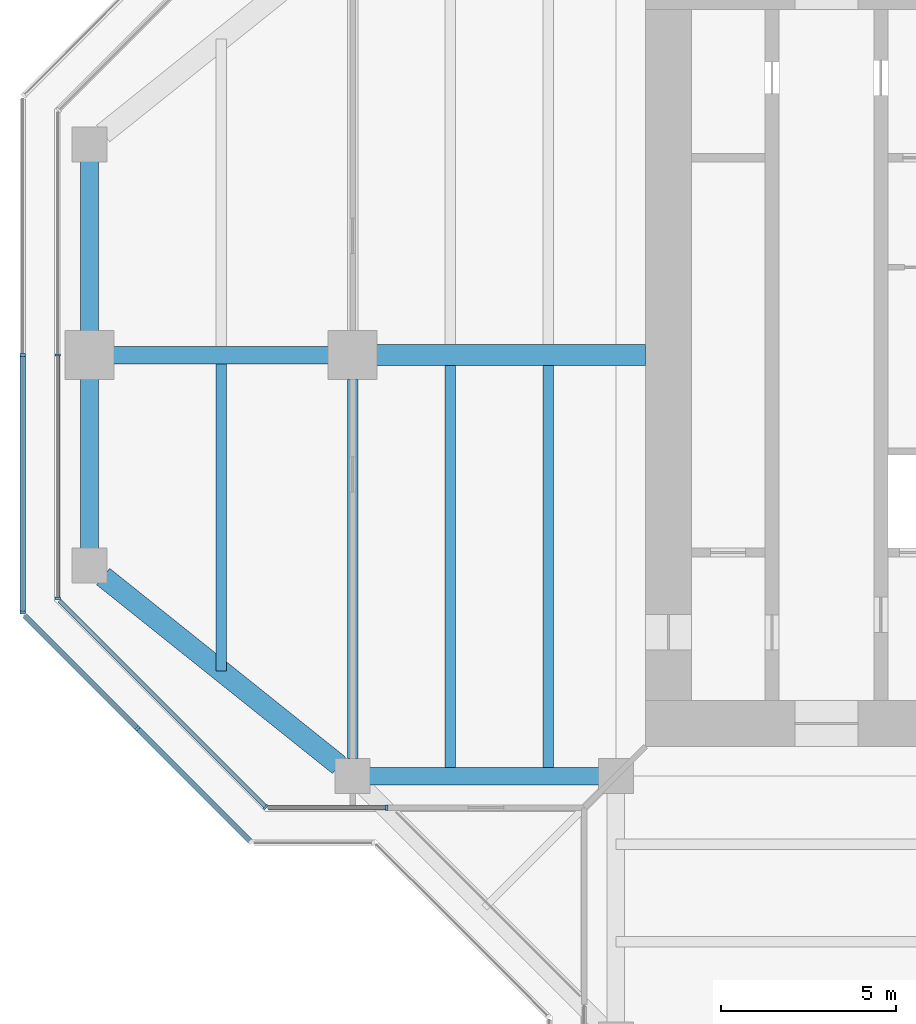
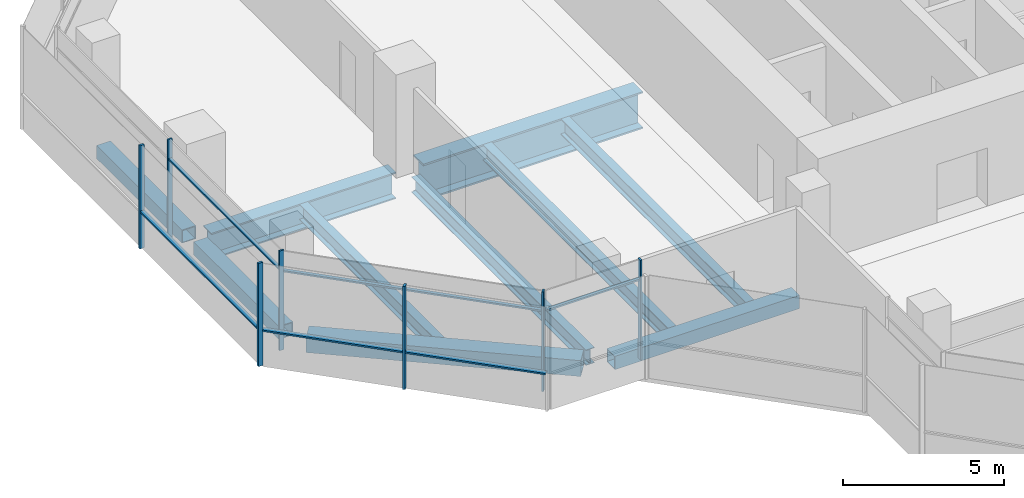
# One storey, part 3 of 15: 13 members, 10 beams, 5 elements without a shape of their own.
"""IFC4 building model written with IfcOpenShell, lengths in metres."""

from ifc_helpers import new_model, si_unit, direction, frame, origin, origin_2d, place, context, subcontext, project, spatial, rectangle, hollow_rectangle, i_section, extrude, material, material_profile, profile_set, type_object, element, aggregate, save


model = new_model("IFC4")

# Units and contexts
model_context = context("Model", 3, precision=1e-05, world=origin(), true_north=direction((0.0, 1.0)))
body_context = subcontext(model_context, "Body", "Model", "MODEL_VIEW")
ifc_project = project(units=[si_unit("LENGTHUNIT", "METRE"), si_unit("AREAUNIT", "SQUARE_METRE"), si_unit("VOLUMEUNIT", "CUBIC_METRE"), si_unit("PLANEANGLEUNIT", "RADIAN"), si_unit("MASSUNIT", "GRAM", prefix="KILO")], contexts=[model_context])

# Site, building, storey
site_placement = place(None, origin())
site = spatial("IfcSite", under=ifc_project, at=site_placement, CompositionType="ELEMENT")
building_placement = place(site_placement, origin())
building = spatial("IfcBuilding", under=site, at=building_placement, Name="Mizan Broadcast Tower", CompositionType="ELEMENT")
storey_placement = place(building_placement, frame((0.0, 0.0, 298.5)))
storey = spatial("IfcBuildingStorey", under=building, at=storey_placement, Name="L71", CompositionType="ELEMENT", Elevation=298.5)

# Beams
ifc_material_1 = material(Name="Steel S355", Category="steel")
ifc_material_profile_1 = material_profile(ifc_material_1, hollow_rectangle(XDim=0.5, YDim=0.5, WallThickness=0.030029296875, at=origin_2d()), Name="BOX 500x500x30")
ifc_profile_set_1 = profile_set([ifc_material_profile_1], Name="Steel S355")
beam_type_1 = type_object("IfcBeamType", Name="EDGE BEAM BOX 500x500x30", PredefinedType="SPANDREL", material=ifc_profile_set_1)
beam_1_placement = place(storey_placement, frame((-27.0, 5.639892578125, -0.3798828125), z_axis=(0.0, -1.0, 0.0), x_axis=(1.0, 0.0, 0.0)))
element("IfcBeam", 1, at=beam_1_placement, inside=storey, type_object=beam_type_1, Name="Edge beam BOX 500x500x30 L71 west arm", PredefinedType="SPANDREL", context=body_context, shape_type="SweptSolid", body=[
    extrude(hollow_rectangle(XDim=0.5, YDim=0.5, WallThickness=0.030029296875, at=origin_2d()), origin(), (0.0, 0.0, 1.0), 5.27978515625),
])
beam_2_placement = place(storey_placement, frame((-12.449951171875, -12.0, -0.3798828125), z_axis=(-1.0, 0.0, 0.0), x_axis=(0.0, -1.0, 0.0)))
element("IfcBeam", 2, at=beam_2_placement, inside=storey, type_object=beam_type_1, Name="Edge beam BOX 500x500x30 L71 west arm", PredefinedType="SPANDREL", context=body_context, shape_type="SweptSolid", body=[
    extrude(hollow_rectangle(XDim=0.5, YDim=0.5, WallThickness=0.030029296875, at=origin_2d()), origin(), (0.0, 0.0, 1.0), 6.60009765625),
])
beam_3_placement = place(storey_placement, frame((-27.0, -5.639892578125, -0.3798828125), z_axis=(0.0, 1.0, 0.0), x_axis=(-1.0, 0.0, 0.0)))
element("IfcBeam", 3, at=beam_3_placement, inside=storey, type_object=beam_type_1, Name="Edge beam BOX 500x500x30 L71 west arm", PredefinedType="SPANDREL", context=body_context, shape_type="SweptSolid", body=[
    extrude(hollow_rectangle(XDim=0.5, YDim=0.5, WallThickness=0.030029296875, at=origin_2d()), origin(), (0.0, 0.0, 1.0), 5.27978515625),
])
ifc_material_2 = material(Name="Steel S355", Category="steel")
ifc_material_profile_2 = material_profile(ifc_material_2, hollow_rectangle(XDim=0.60009765625, YDim=0.60009765625, WallThickness=0.030029296875, at=origin_2d()), Name="BOX 600x600x30")
ifc_profile_set_2 = profile_set([ifc_material_profile_2], Name="Steel S355")
beam_type_2 = type_object("IfcBeamType", Name="EDGE BEAM BOX 600x600x30", PredefinedType="SPANDREL", material=ifc_profile_set_2)
beam_4_placement = place(storey_placement, frame((-19.890380859375, -11.687744140625, -0.429931640625), z_axis=(-0.780863273348, 0.62470196761, 0.0), x_axis=(-0.62470196761, -0.780863273348, 0.0)))
element("IfcBeam", 4, at=beam_4_placement, inside=storey, type_object=beam_type_2, Name="Edge beam BOX 600x600x30 L71 west arm", PredefinedType="SPANDREL", context=body_context, shape_type="SweptSolid", body=[
    extrude(hollow_rectangle(XDim=0.60009765625, YDim=0.60009765625, WallThickness=0.030029296875, at=origin_2d()), origin(), (0.0, 0.0, 1.0), 8.60498046875),
])
ifc_material_3 = material(Name="Steel S355", Category="steel")
ifc_material_profile_3 = material_profile(ifc_material_3, i_section(OverallWidth=0.300048828125, OverallDepth=0.590087890625, WebThickness=0.012939453125, FlangeThickness=0.02490234375, FilletRadius=0.027099609375, at=origin_2d()), Name="HEA 600")
ifc_profile_set_3 = profile_set([ifc_material_profile_3], Name="Steel S355")
beam_type_3 = type_object("IfcBeamType", Name="GIRDER HEA 600", PredefinedType="BEAM", material=ifc_profile_set_3)
beam_5_placement = place(storey_placement, frame((-19.5, -11.5, -0.425048828125), z_axis=(0.0, 1.0, 0.0), x_axis=(-1.0, 0.0, 0.0)))
element("IfcBeam", 5, at=beam_5_placement, inside=storey, type_object=beam_type_3, Name="Girder HEA 600 L71 west arm", PredefinedType="BEAM", context=body_context, shape_type="SweptSolid", body=[
    extrude(i_section(OverallWidth=0.300048828125, OverallDepth=0.590087890625, WebThickness=0.012939453125, FlangeThickness=0.02490234375, FilletRadius=0.027099609375, at=origin_2d()), origin(), (0.0, 0.0, 1.0), 10.800048828125),
])
ifc_material_4 = material(Name="Steel S460", Category="steel")
ifc_material_profile_4 = material_profile(ifc_material_4, i_section(OverallWidth=0.5, OverallDepth=1.0, WebThickness=0.02490234375, FlangeThickness=0.050048828125, at=origin_2d()), Name="WPG 1000x500")
ifc_profile_set_4 = profile_set([ifc_material_profile_4], Name="Steel S460")
beam_type_4 = type_object("IfcBeamType", Name="GIRDER WPG 1000x500", PredefinedType="BEAM", material=ifc_profile_set_4)
beam_6_placement = place(storey_placement, frame((-19.949951171875, 0.0, -0.6298828125), z_axis=(-1.0, 0.0, 0.0), x_axis=(0.0, -1.0, 0.0)))
element("IfcBeam", 6, at=beam_6_placement, inside=storey, type_object=beam_type_4, Name="Girder WPG 1000x500 L71 west arm", PredefinedType="BEAM", context=body_context, shape_type="SweptSolid", body=[
    extrude(i_section(OverallWidth=0.5, OverallDepth=1.0, WebThickness=0.02490234375, FlangeThickness=0.050048828125, at=origin_2d()), origin(), (0.0, 0.0, 1.0), 6.60009765625),
])
ifc_material_5 = material(Name="Steel S460", Category="steel")
ifc_material_profile_5 = material_profile(ifc_material_5, i_section(OverallWidth=0.60009765625, OverallDepth=1.39990234375, WebThickness=0.02490234375, FlangeThickness=0.06005859375, at=origin_2d()), Name="WPG 1400x600")
ifc_profile_set_5 = profile_set([ifc_material_profile_5], Name="Steel S460")
beam_type_5 = type_object("IfcBeamType", Name="GIRDER WPG 1400x600", PredefinedType="BEAM", material=ifc_profile_set_5)
beam_7_placement = place(storey_placement, frame((-11.14990234375, 0.0, -0.830078125), z_axis=(-1.0, 0.0, 0.0), x_axis=(0.0, -1.0, 0.0)))
element("IfcBeam", 7, at=beam_7_placement, inside=storey, type_object=beam_type_5, Name="Girder WPG 1400x600 L71 west arm", PredefinedType="BEAM", context=body_context, shape_type="SweptSolid", body=[
    extrude(i_section(OverallWidth=0.60009765625, OverallDepth=1.39990234375, WebThickness=0.02490234375, FlangeThickness=0.06005859375, at=origin_2d()), origin(), (0.0, 0.0, 1.0), 7.84912109375),
])

# Curtain wall, members
ifc_material_6 = material(Name="Aluminium framed glazing", Category="aluminium")
curtain_wall_type_1 = type_object("IfcCurtainWallType", Name="INNER SKIN TOP ZONE", PredefinedType="USERDEFINED", material=ifc_material_6)
curtain_wall_1_placement = place(storey_placement, origin())
curtain_wall_1 = element("IfcCurtainWall", 8, at=curtain_wall_1_placement, inside=storey, type_object=curtain_wall_type_1, Name="Inner skin top zone L71 W end", ObjectType="INNER SKIN TOP ZONE", PredefinedType="USERDEFINED")
ifc_material_7 = material(Name="Aluminium, pale anodised", Category="aluminium")
ifc_material_profile_6 = material_profile(ifc_material_7, rectangle(XDim=0.159912109375, YDim=0.06005859375, at=origin_2d()), Name="MULLION 160x60")
ifc_profile_set_6 = profile_set([ifc_material_profile_6], Name="Aluminium, pale anodised")
member_type_1 = type_object("IfcMemberType", Name="INNER SKIN MULLION 60x160", PredefinedType="MULLION", material=ifc_profile_set_6)
member_1_placement = place(storey_placement, frame((-27.89990234375, 0.0, 0.0), z_axis=(0.0, 0.0, 1.0), x_axis=(1.0, 0.0, 0.0)))
member_1 = element("IfcMember", 9, at=member_1_placement, type_object=member_type_1, Name="Inner skin top zone L71 W end mullion 2", PredefinedType="MULLION", context=body_context, shape_type="SweptSolid", body=[
    extrude(rectangle(XDim=0.159912109375, YDim=0.06005859375, at=origin_2d()), origin(), (0.0, 0.0, 1.0), 3.77001953125),
])
member_2_placement = place(storey_placement, frame((-27.89990234375, -6.928466796875, 0.0), z_axis=(0.0, 0.0, 1.0), x_axis=(1.0, 0.0, 0.0)))
member_2 = element("IfcMember", 10, at=member_2_placement, type_object=member_type_1, Name="Inner skin top zone L71 W end mullion 3", PredefinedType="MULLION", context=body_context, shape_type="SweptSolid", body=[
    extrude(rectangle(XDim=0.159912109375, YDim=0.06005859375, at=origin_2d()), origin(), (0.0, 0.0, 1.0), 3.77001953125),
])

# Curtain wall, member
curtain_wall_2_placement = place(storey_placement, origin())
curtain_wall_2 = element("IfcCurtainWall", 11, at=curtain_wall_2_placement, inside=storey, type_object=curtain_wall_type_1, Name="Inner skin top zone L71 W chamfer", ObjectType="INNER SKIN TOP ZONE", PredefinedType="USERDEFINED")
member_3_placement = place(storey_placement, frame((-21.979736328125, -12.87890625, 0.0), z_axis=(0.0, 0.0, 1.0), x_axis=(0.707106781187, 0.707106781187, 0.0)))
member_3 = element("IfcMember", 12, at=member_3_placement, type_object=member_type_1, Name="Inner skin top zone L71 W chamfer mullion 2", PredefinedType="MULLION", context=body_context, shape_type="SweptSolid", body=[
    extrude(rectangle(XDim=0.159912109375, YDim=0.06005859375, at=origin_2d()), origin(), (0.0, 0.0, 1.0), 3.77001953125),
])

curtain_wall_3_placement = place(storey_placement, origin())
curtain_wall_3 = element("IfcCurtainWall", 13, at=curtain_wall_3_placement, inside=storey, type_object=curtain_wall_type_1, Name="Inner skin top zone L71 W side", ObjectType="INNER SKIN TOP ZONE", PredefinedType="USERDEFINED")
member_4_placement = place(storey_placement, frame((-18.530029296875, -12.89990234375, 0.0), z_axis=(0.0, 0.0, 1.0), x_axis=(0.0, 1.0, 0.0)))
member_4 = element("IfcMember", 14, at=member_4_placement, type_object=member_type_1, Name="Inner skin top zone L71 W side mullion 2", PredefinedType="MULLION", context=body_context, shape_type="SweptSolid", body=[
    extrude(rectangle(XDim=0.159912109375, YDim=0.06005859375, at=origin_2d()), origin(), (0.0, 0.0, 1.0), 3.77001953125),
])

# Member
ifc_material_8 = material(Name="Aluminium, pale anodised", Category="aluminium")
ifc_material_profile_7 = material_profile(ifc_material_8, rectangle(XDim=0.1201171875, YDim=0.06005859375, at=origin_2d()), Name="TRANSOM 120x60")
ifc_profile_set_7 = profile_set([ifc_material_profile_7], Name="Aluminium, pale anodised")
member_type_2 = type_object("IfcMemberType", Name="INNER SKIN TRANSOM 60x120", PredefinedType="USERDEFINED", material=ifc_profile_set_7)
member_5_placement = place(storey_placement, frame((-27.89990234375, -0.030029296875, 3.030029296875), z_axis=(0.0, -1.0, 0.0), x_axis=(1.0, 0.0, 0.0)))
member_5 = element("IfcMember", 15, at=member_5_placement, type_object=member_type_2, Name="Inner skin top zone L71 W end transom 2.1", ObjectType="TRANSOM", PredefinedType="USERDEFINED", context=body_context, shape_type="SweptSolid", body=[
    extrude(rectangle(XDim=0.1201171875, YDim=0.06005859375, at=origin_2d()), origin(), (0.0, 0.0, 1.0), 6.86865234375),
])

aggregate(curtain_wall_1, [member_1, member_2, member_5])

member_6_placement = place(storey_placement, frame((-27.857666015625, -7.0009765625, 3.030029296875), z_axis=(0.707106781187, -0.707106781187, 0.0), x_axis=(0.707106781187, 0.707106781187, 0.0)))
member_6 = element("IfcMember", 16, at=member_6_placement, type_object=member_type_2, Name="Inner skin top zone L71 W chamfer transom 1.1", ObjectType="TRANSOM", PredefinedType="USERDEFINED", context=body_context, shape_type="SweptSolid", body=[
    extrude(rectangle(XDim=0.1201171875, YDim=0.06005859375, at=origin_2d()), origin(), (0.0, 0.0, 1.0), 8.28271484375),
])

aggregate(curtain_wall_2, [member_3, member_6])

member_7_placement = place(storey_placement, frame((-21.898681640625, -12.89990234375, 3.030029296875), z_axis=(1.0, 0.0, 0.0), x_axis=(0.0, 1.0, 0.0)))
member_7 = element("IfcMember", 17, at=member_7_placement, type_object=member_type_2, Name="Inner skin top zone L71 W side transom 1.1", ObjectType="TRANSOM", PredefinedType="USERDEFINED", context=body_context, shape_type="SweptSolid", body=[
    extrude(rectangle(XDim=0.1201171875, YDim=0.06005859375, at=origin_2d()), origin(), (0.0, 0.0, 1.0), 3.338623046875),
])

aggregate(curtain_wall_3, [member_4, member_7])

# Curtain wall, member
ifc_material_9 = material(Name="Aluminium framed glazing", Category="aluminium")
curtain_wall_type_2 = type_object("IfcCurtainWallType", Name="OUTER SKIN", PredefinedType="USERDEFINED", material=ifc_material_9)
curtain_wall_4_placement = place(storey_placement, origin())
curtain_wall_4 = element("IfcCurtainWall", 18, at=curtain_wall_4_placement, inside=storey, type_object=curtain_wall_type_2, Name="Outer skin L71 W chamfer", ObjectType="OUTER SKIN", PredefinedType="USERDEFINED")
ifc_material_10 = material(Name="Aluminium, pale anodised", Category="aluminium")
ifc_material_profile_8 = material_profile(ifc_material_10, rectangle(XDim=0.159912109375, YDim=0.080078125, at=origin_2d()), Name="MULLION 160x80")
ifc_profile_set_8 = profile_set([ifc_material_profile_8], Name="Aluminium, pale anodised")
member_type_3 = type_object("IfcMemberType", Name="OUTER SKIN MULLION 80x160", PredefinedType="MULLION", material=ifc_profile_set_8)
member_8_placement = place(storey_placement, frame((-25.636474609375, -10.636474609375, 0.0), z_axis=(0.0, 0.0, 1.0), x_axis=(0.707106781187, 0.707106781187, 0.0)))
member_8 = element("IfcMember", 19, at=member_8_placement, type_object=member_type_3, Name="Outer skin L71 W chamfer mullion 2", PredefinedType="MULLION", context=body_context, shape_type="SweptSolid", body=[
    extrude(rectangle(XDim=0.159912109375, YDim=0.080078125, at=origin_2d()), origin(), (0.0, 0.0, 1.0), 3.89990234375),
])

# Curtain wall, members
curtain_wall_5_placement = place(storey_placement, origin())
curtain_wall_5 = element("IfcCurtainWall", 20, at=curtain_wall_5_placement, inside=storey, type_object=curtain_wall_type_2, Name="Outer skin L71 W end", ObjectType="OUTER SKIN", PredefinedType="USERDEFINED")
member_9_placement = place(storey_placement, frame((-28.89990234375, 0.0, 0.0), z_axis=(0.0, 0.0, 1.0), x_axis=(1.0, 0.0, 0.0)))
member_9 = element("IfcMember", 21, at=member_9_placement, type_object=member_type_3, Name="Outer skin L71 W end mullion 2", PredefinedType="MULLION", context=body_context, shape_type="SweptSolid", body=[
    extrude(rectangle(XDim=0.159912109375, YDim=0.080078125, at=origin_2d()), origin(), (0.0, 0.0, 1.0), 3.89990234375),
])
member_10_placement = place(storey_placement, frame((-28.89990234375, -7.332763671875, 0.0), z_axis=(0.0, 0.0, 1.0), x_axis=(1.0, 0.0, 0.0)))
member_10 = element("IfcMember", 22, at=member_10_placement, type_object=member_type_3, Name="Outer skin L71 W end mullion 3", PredefinedType="MULLION", context=body_context, shape_type="SweptSolid", body=[
    extrude(rectangle(XDim=0.159912109375, YDim=0.080078125, at=origin_2d()), origin(), (0.0, 0.0, 1.0), 3.89990234375),
])

# Member
ifc_material_11 = material(Name="Aluminium, pale anodised", Category="aluminium")
ifc_material_profile_9 = material_profile(ifc_material_11, rectangle(XDim=0.159912109375, YDim=0.06005859375, at=origin_2d()), Name="TRANSOM 160x60")
ifc_profile_set_9 = profile_set([ifc_material_profile_9], Name="Aluminium, pale anodised")
member_type_4 = type_object("IfcMemberType", Name="OUTER SKIN TRANSOM 60x160", PredefinedType="USERDEFINED", material=ifc_profile_set_9)
member_11_placement = place(storey_placement, frame((-28.843505859375, -7.429443359375, 1.39990234375), z_axis=(0.707106781187, -0.707106781187, 0.0), x_axis=(0.707106781187, 0.707106781187, 0.0)))
member_11 = element("IfcMember", 23, at=member_11_placement, type_object=member_type_4, Name="Outer skin L71 W chamfer transom 1.1", ObjectType="TRANSOM", PredefinedType="USERDEFINED", context=body_context, shape_type="SweptSolid", body=[
    extrude(rectangle(XDim=0.159912109375, YDim=0.06005859375, at=origin_2d()), origin(), (0.0, 0.0, 1.0), 4.495361328125),
])

member_12_placement = place(storey_placement, frame((-25.608154296875, -10.664794921875, 1.39990234375), z_axis=(0.707106781187, -0.707106781187, 0.0), x_axis=(0.707106781187, 0.707106781187, 0.0)))
member_12 = element("IfcMember", 24, at=member_12_placement, type_object=member_type_4, Name="Outer skin L71 W chamfer transom 2.1", ObjectType="TRANSOM", PredefinedType="USERDEFINED", context=body_context, shape_type="SweptSolid", body=[
    extrude(rectangle(XDim=0.159912109375, YDim=0.06005859375, at=origin_2d()), origin(), (0.0, 0.0, 1.0), 4.495361328125),
])

aggregate(curtain_wall_4, [member_8, member_11, member_12])

member_13_placement = place(storey_placement, frame((-28.89990234375, -0.0400390625, 1.39990234375), z_axis=(0.0, -1.0, 0.0), x_axis=(1.0, 0.0, 0.0)))
member_13 = element("IfcMember", 25, at=member_13_placement, type_object=member_type_4, Name="Outer skin L71 W end transom 2.1", ObjectType="TRANSOM", PredefinedType="USERDEFINED", context=body_context, shape_type="SweptSolid", body=[
    extrude(rectangle(XDim=0.159912109375, YDim=0.06005859375, at=origin_2d()), origin(), (0.0, 0.0, 1.0), 7.252685546875),
])

aggregate(curtain_wall_5, [member_9, member_10, member_13])

# Beams
ifc_material_12 = material(Name="Steel S355", Category="steel")
ifc_material_profile_10 = material_profile(ifc_material_12, i_section(OverallWidth=0.300048828125, OverallDepth=0.590087890625, WebThickness=0.012939453125, FlangeThickness=0.02490234375, FilletRadius=0.027099609375, at=origin_2d()), Name="HEA 600")
ifc_profile_set_10 = profile_set([ifc_material_profile_10], Name="Steel S355")
beam_type_6 = type_object("IfcBeamType", Name="SECONDARY BEAM HEA 600", PredefinedType="JOIST", material=ifc_profile_set_10)
for number, where, z_axis, x_axis, name in (
    (26, (-13.933349609375, -12.0, -0.425048828125), (0.0, 1.0, 0.0), (-1.0, 0.0, 0.0), "Secondary beam HEA 600 L71 west arm"),
    (27, (-16.716552734375, -12.0, -0.425048828125), (0.0, 1.0, 0.0), (-1.0, 0.0, 0.0), "Secondary beam HEA 600 L71 west arm"),
):
    element("IfcBeam", number, at=place(storey_placement, frame(where, z_axis=z_axis, x_axis=x_axis)), inside=storey, type_object=beam_type_6, Name=name, PredefinedType="JOIST", context=body_context, shape_type="SweptSolid", body=[
        extrude(i_section(OverallWidth=0.300048828125, OverallDepth=0.590087890625, WebThickness=0.012939453125, FlangeThickness=0.02490234375, FilletRadius=0.027099609375, at=origin_2d()), origin(), (0.0, 0.0, 1.0), 11.699951171875),
    ])
beam_8_placement = place(storey_placement, frame((-23.25, -9.0, -0.425048828125), z_axis=(0.0, 1.0, 0.0), x_axis=(-1.0, 0.0, 0.0)))
element("IfcBeam", 28, at=beam_8_placement, inside=storey, type_object=beam_type_6, Name="Secondary beam HEA 600 L71 west arm", PredefinedType="JOIST", context=body_context, shape_type="SweptSolid", body=[
    extrude(i_section(OverallWidth=0.300048828125, OverallDepth=0.590087890625, WebThickness=0.012939453125, FlangeThickness=0.02490234375, FilletRadius=0.027099609375, at=origin_2d()), origin(), (0.0, 0.0, 1.0), 8.75),
])

save(model, "model.ifc")
